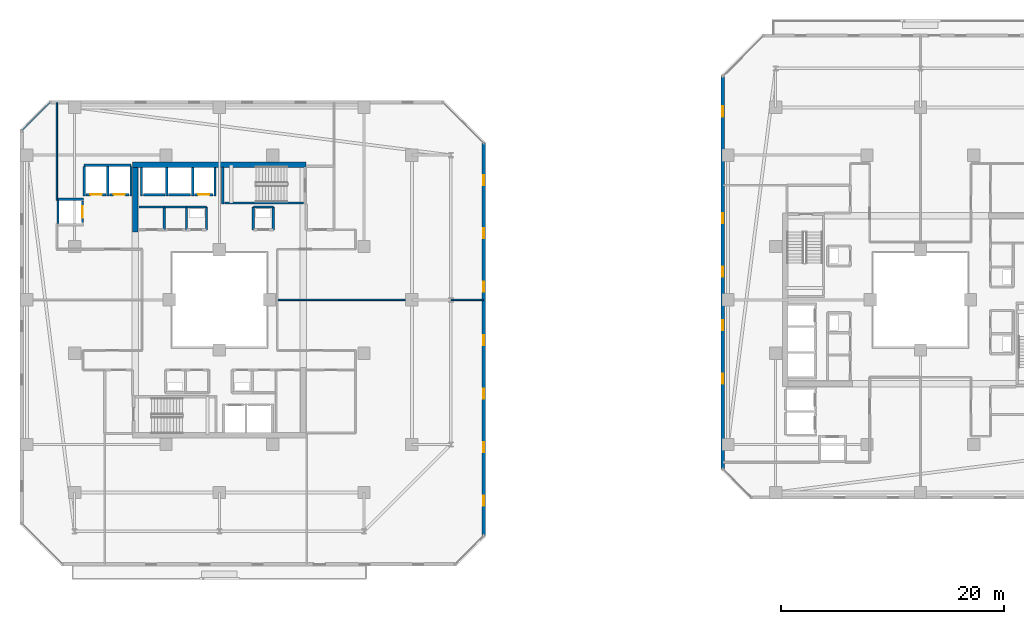
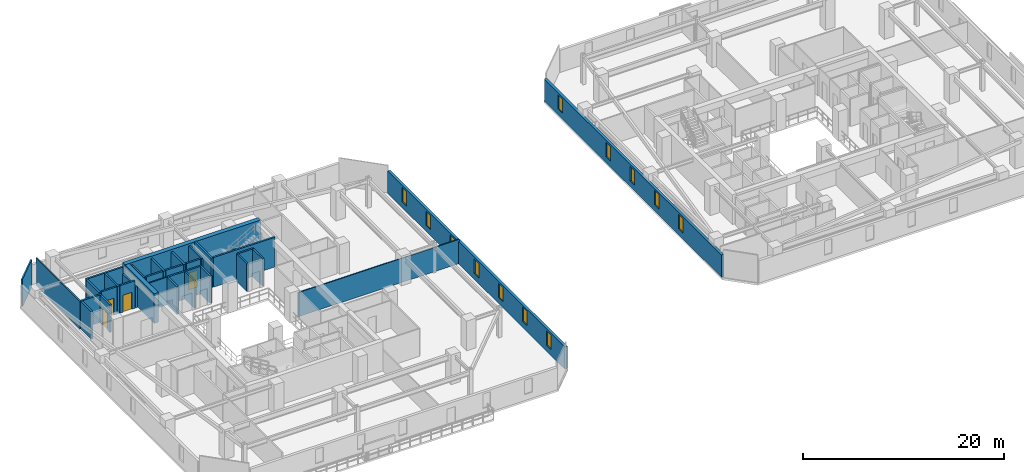
# One storey, part 21 of 32: 34 walls, 12 windows, 4 doors, 16 openings.
"""IFC4 building model written with IfcOpenShell, lengths in metres."""

import ifcopenshell
import ifcopenshell.guid

model = None  # the IFC model being written
_history = None  # IfcOwnerHistory: only IFC2X3 demands one
_inside = {}  # id of a spatial element -> (the spatial element, [elements in it])
_under = {}  # id of a project, library or spatial element -> (it, [spatial elements below it])
_declared = {}  # id of a project -> (the project, [libraries it declares])
_typed = {}  # id of a type object -> (the type object, [elements of that type])
_made_of = {}  # id of a material, layer set ... -> (it, [elements and type objects made of it])


def new_model(schema):
    """Start an empty IFC model of exactly this schema.

    Asked for "IFC4X3", IfcOpenShell would pick the latest addendum, in which some entities
    have other attributes; the version numbers below select the first issue.
    IFC2X3 requires an IfcOwnerHistory on every rooted entity: one is made here for all.
    """
    global model, _history
    if schema == "IFC4X3":
        model = ifcopenshell.file(schema_version=(4, 3, 0, 0))
    else:
        model = ifcopenshell.file(schema=schema)
    _inside.clear()
    _under.clear()
    _declared.clear()
    _typed.clear()
    _made_of.clear()
    _history = None
    if model.schema == "IFC2X3":
        org = make("IfcOrganization", Name="unknown")
        user = make(
            "IfcPersonAndOrganization",
            ThePerson=make("IfcPerson", FamilyName="unknown"),
            TheOrganization=org,
        )
        app = make(
            "IfcApplication",
            ApplicationDeveloper=org,
            Version="unknown",
            ApplicationFullName="unknown",
            ApplicationIdentifier="unknown",
        )
        _history = make(
            "IfcOwnerHistory",
            OwningUser=user,
            OwningApplication=app,
            ChangeAction="ADDED",
            CreationDate=0,
        )
    return model


def make(cls, **values):
    """One entity of the class cls with the attributes given. An attribute that is None is left unset."""
    return model.create_entity(
        cls, **{name: value for name, value in values.items() if value is not None}
    )


def rooted(cls, **values):
    """An entity with a GlobalId (a new one), such as an element, a storey or a relation."""
    return make(cls, GlobalId=ifcopenshell.guid.new(), OwnerHistory=_history, **values)


def si_unit(unit_type, name, prefix=None):
    """IfcSIUnit, for example si_unit("LENGTHUNIT", "METRE", prefix="MILLI")."""
    return make("IfcSIUnit", UnitType=unit_type, Prefix=prefix, Name=name)


def assignment(units):
    """IfcUnitAssignment: the units of a project."""
    return None if units is None else make("IfcUnitAssignment", Units=units)


def point(xyz):
    """IfcCartesianPoint."""
    return None if xyz is None else make("IfcCartesianPoint", Coordinates=xyz)


def direction(xyz):
    """IfcDirection."""
    return None if xyz is None else make("IfcDirection", DirectionRatios=xyz)


def frame(location, z_axis=None, x_axis=None):
    """IfcAxis2Placement3D, a coordinate frame: its origin and axes. An axis left out is left unset."""
    return make(
        "IfcAxis2Placement3D",
        Location=point(location),
        Axis=direction(z_axis),
        RefDirection=direction(x_axis),
    )


def frame_2d(location, x_axis=None):
    """IfcAxis2Placement2D, a coordinate frame in the plane: its origin and x axis."""
    return make(
        "IfcAxis2Placement2D", Location=point(location), RefDirection=direction(x_axis)
    )


def origin():
    """The frame at (0, 0, 0) with its axes left unset."""
    return frame((0.0, 0.0, 0.0))


def place(relative_to, where):
    """IfcLocalPlacement: puts the frame where relative to a parent placement (None: the world)."""
    return make(
        "IfcLocalPlacement", PlacementRelTo=relative_to, RelativePlacement=where
    )


def context(
    kind, dimensions, precision=None, world=None, true_north=None, identifier=None
):
    """IfcGeometricRepresentationContext, for example the 3D "Model" context."""
    return make(
        "IfcGeometricRepresentationContext",
        ContextIdentifier=identifier,
        ContextType=kind,
        CoordinateSpaceDimension=dimensions,
        Precision=precision,
        WorldCoordinateSystem=world,
        TrueNorth=true_north,
    )


def subcontext(parent, identifier, kind, view, scale=None):
    """IfcGeometricRepresentationSubContext, for example "Body" below "Model"."""
    return make(
        "IfcGeometricRepresentationSubContext",
        ContextIdentifier=identifier,
        ContextType=kind,
        ParentContext=parent,
        TargetScale=scale,
        TargetView=view,
    )


def project(units=None, contexts=None):
    """IfcProject with its units and contexts."""
    return rooted(
        "IfcProject",
        Name="project",
        RepresentationContexts=contexts,
        UnitsInContext=assignment(units),
    )


def spatial(cls, under=None, at=None, **own):
    """A site, building, storey or space (cls), placed at a placement, below another one or the project."""
    s = rooted(cls, ObjectPlacement=at, **own)
    if under is not None:
        _under.setdefault(under.id(), (under, []))[1].append(s)
    return s


def profile(cls, at=None, kind="AREA", **sizes):
    """A parametric profile (cls). Its sizes go by their IFC names, for example OverallWidth=200.0."""
    return make(cls, ProfileType=kind, Position=at, **sizes)


def rectangle(**sizes):
    """IfcRectangleProfileDef."""
    return profile("IfcRectangleProfileDef", **sizes)


def extrude(swept, where, along, depth):
    """IfcExtrudedAreaSolid: the profile swept, set in the frame where, extruded along a direction by depth."""
    return make(
        "IfcExtrudedAreaSolid",
        SweptArea=swept,
        Position=where,
        ExtrudedDirection=direction(along),
        Depth=depth,
    )


def shape(context_of_items, identifier, shape_type, items):
    """IfcShapeRepresentation: the items that make up one representation, for example the "Body"."""
    return make(
        "IfcShapeRepresentation",
        ContextOfItems=context_of_items,
        RepresentationIdentifier=identifier,
        RepresentationType=shape_type,
        Items=items,
    )


def material(Name=None, Category=None):
    """IfcMaterial."""
    return make("IfcMaterial", Name=Name, Category=Category)


def layer(
    of_material, thickness, ventilated=None, Name=None, Category=None, Priority=None
):
    """IfcMaterialLayer: one layer of a wall or slab, of a material (None: an air gap)."""
    return make(
        "IfcMaterialLayer",
        Material=of_material,
        LayerThickness=thickness,
        IsVentilated=ventilated,
        Name=Name,
        Category=Category,
        Priority=Priority,
    )


def layer_set(layers, Name=None):
    """IfcMaterialLayerSet."""
    return make("IfcMaterialLayerSet", MaterialLayers=layers, LayerSetName=Name)


def made_of(thing, what):
    """Note that an element or type object is made of a material, layer set ...; save() writes the relation."""
    if what is not None:
        _made_of.setdefault(what.id(), (what, []))[1].append(thing)
    return thing


def type_object(cls, material=None, **own):
    """A type object (cls), such as IfcWallType, which elements share."""
    return made_of(rooted(cls, **own), material)


def element(
    cls,
    number,
    at=None,
    inside=None,
    cuts=None,
    type_object=None,
    material=None,
    context=None,
    identifier="Body",
    shape_type=None,
    held_by="IfcProductDefinitionShape",
    body=None,
    shapes=None,
    **own,
):
    """One element of the class cls, such as IfcWall. Its Tag is "e" and its number.

    at: its placement. inside: the storey or other place that contains it. cuts: it is an
    opening in that element (IfcRelVoidsElement). A single representation is given by context,
    identifier, shape_type and body (its items); several are given by shapes. held_by: the class
    of the entity that holds the representations. save() writes the other relations.
    """
    e = rooted(cls, Tag="e%d" % number, ObjectPlacement=at, **own)
    if body is not None:
        shapes = [shape(context, identifier, shape_type, body)]
    if shapes is not None:
        e.Representation = make(held_by, Representations=shapes)
    if inside is not None:
        _inside.setdefault(inside.id(), (inside, []))[1].append(e)
    if cuts is not None:
        rooted(
            "IfcRelVoidsElement", RelatingBuildingElement=cuts, RelatedOpeningElement=e
        )
    if type_object is not None:
        _typed.setdefault(type_object.id(), (type_object, []))[1].append(e)
    return made_of(e, material)


def fill(opening, filler):
    """IfcRelFillsElement: the door or window that sits in an opening."""
    return rooted(
        "IfcRelFillsElement",
        RelatingOpeningElement=opening,
        RelatedBuildingElement=filler,
    )


def aggregate(whole, parts):
    """IfcRelAggregates: a whole, such as a stair, and the parts it consists of."""
    return rooted("IfcRelAggregates", RelatingObject=whole, RelatedObjects=parts)


def save(model, path):
    """Write the relations noted so far, then the file.

    IfcRelAggregates (storeys below a building ...), IfcRelContainedInSpatialStructure (elements
    in a storey), IfcRelDefinesByType, IfcRelAssociatesMaterial and IfcRelDeclares: one each for
    every whole, place, type object, material and project.
    """
    for whole, parts in _under.values():
        aggregate(whole, parts)
    for where, things in _inside.values():
        rooted(
            "IfcRelContainedInSpatialStructure",
            RelatedElements=things,
            RelatingStructure=where,
        )
    for kind, things in _typed.values():
        rooted("IfcRelDefinesByType", RelatedObjects=things, RelatingType=kind)
    for what, things in _made_of.values():
        rooted("IfcRelAssociatesMaterial", RelatedObjects=things, RelatingMaterial=what)
    for by, libraries in _declared.values():
        rooted("IfcRelDeclares", RelatingContext=by, RelatedDefinitions=libraries)
    model.write(path)


model = new_model("IFC4")

# Units and contexts
model_context = context("Model", 3, precision=1e-05, world=origin(), true_north=direction((0.0, 1.0)))
body_context = subcontext(model_context, "Body", "Model", "MODEL_VIEW")
ifc_project = project(units=[si_unit("LENGTHUNIT", "METRE"), si_unit("AREAUNIT", "SQUARE_METRE"), si_unit("VOLUMEUNIT", "CUBIC_METRE"), si_unit("PLANEANGLEUNIT", "RADIAN"), si_unit("MASSUNIT", "GRAM", prefix="KILO")], contexts=[model_context])

# Site, building, storey
site_placement = place(None, origin())
site = spatial("IfcSite", under=ifc_project, at=site_placement, CompositionType="ELEMENT")
building_placement = place(site_placement, origin())
building = spatial("IfcBuilding", under=site, at=building_placement, Name="Thornwick Lancets Civic Towers", CompositionType="ELEMENT")
storey_placement = place(building_placement, frame((0.0, 0.0, 156.300048828125)))
storey = spatial("IfcBuildingStorey", under=building, at=storey_placement, Name="L41", CompositionType="ELEMENT", Elevation=156.300048828125)

# Wall, opening, door
ifc_material_1 = material(Name="Concrete blockwork C40/50", Category="masonry")
ifc_layer_1 = layer(ifc_material_1, 0.199951171875, Name="Concrete blockwork C40/50")
ifc_layer_set_1 = layer_set([ifc_layer_1], Name="Concrete blockwork C40/50")
wall_type_1 = type_object("IfcWallType", Name="WALL_COMP_200", PredefinedType="STANDARD", material=ifc_layer_set_1)
wall_1_placement = place(storey_placement, frame((24.919921875, 36.449951171875, 0.0), z_axis=(0.0, 0.0, 1.0), x_axis=(-1.0, 0.0, 0.0)))
wall_1 = element("IfcWall", 1, at=wall_1_placement, inside=storey, type_object=wall_type_1, Name="L41 Hoistway Front Wall FL-A2", PredefinedType="STANDARD", context=body_context, shape_type="SweptSolid", body=[
    extrude(rectangle(XDim=1.639892578125, YDim=0.199951171875, at=frame_2d((0.81982421875, 0.0))), origin(), (0.0, 0.0, 1.0), 3.33984375),
])
opening_1_placement = place(wall_1_placement, frame((0.31005859375, 0.0, 0.0)))
opening_1 = element("IfcOpeningElement", 2, at=opening_1_placement, cuts=wall_1, Name="Opening LD-FL-A2", PredefinedType="OPENING", context=body_context, shape_type="SweptSolid", body=[
    extrude(rectangle(XDim=1.02001953125, YDim=2.06005859375, at=frame_2d((0.510009765625, 1.030029296875))), frame((0.0, 0.10986328125, 0.0), z_axis=(0.0, -1.0, 0.0), x_axis=(1.0, 0.0, 0.0)), (0.0, 0.0, 1.0), 0.219970703125),
])
ifc_material_2 = material(Name="Brushed bronze stainless steel", Category="steel")
door_type = type_object("IfcDoorType", Name="DOOR_LIFT_SLIDE", OperationType="SLIDING_TO_LEFT", PredefinedType="DOOR", material=ifc_material_2)
door_1_placement = place(opening_1_placement, origin())
door_1 = element("IfcDoor", 3, at=door_1_placement, inside=storey, type_object=door_type, Name="L41 Sliding Lift Landing Door LD-FL-A2", OperationType="SLIDING_TO_LEFT", OverallHeight=2.06005859375, OverallWidth=1.02001953125, PredefinedType="DOOR", context=body_context, shape_type="SweptSolid", body=[
    extrude(rectangle(XDim=1.02001953125, YDim=2.06005859375, at=frame_2d((0.510009765625, 1.030029296875))), frame((0.0, 0.02490234375, 0.0), z_axis=(0.0, -1.0, 0.0), x_axis=(1.0, 0.0, 0.0)), (0.0, 0.0, 1.0), 0.050048828125),
])
fill(opening_1, door_1)

# Walls
wall_2_placement = place(storey_placement, frame((22.919921875, 36.449951171875, 0.0), z_axis=(0.0, 0.0, 1.0), x_axis=(-1.0, 0.0, 0.0)))
element("IfcWall", 4, at=wall_2_placement, inside=storey, type_object=wall_type_1, Name="L41 Hoistway Front Wall PL-AH2", PredefinedType="STANDARD", context=body_context, shape_type="SweptSolid", body=[
    extrude(rectangle(XDim=1.989990234375, YDim=0.199951171875, at=frame_2d((0.9951171875, 0.0))), origin(), (0.0, 0.0, 1.0), 3.33984375),
])
wall_3_placement = place(storey_placement, frame((20.6201171875, 36.449951171875, 0.0), z_axis=(0.0, 0.0, 1.0), x_axis=(-1.0, 0.0, 0.0)))
element("IfcWall", 5, at=wall_3_placement, inside=storey, type_object=wall_type_1, Name="L41 Hoistway Front Wall PL-AH3", PredefinedType="STANDARD", context=body_context, shape_type="SweptSolid", body=[
    extrude(rectangle(XDim=1.940185546875, YDim=0.199951171875, at=frame_2d((0.97021484375, 0.0))), origin(), (0.0, 0.0, 1.0), 3.33984375),
])

# Wall, opening, door
wall_4_placement = place(storey_placement, frame((17.3701171875, 36.449951171875, 0.0), z_axis=(0.0, 0.0, 1.0), x_axis=(-1.0, 0.0, 0.0)))
wall_4 = element("IfcWall", 6, at=wall_4_placement, inside=storey, type_object=wall_type_1, Name="L41 Hoistway Front Wall PL-AM1", PredefinedType="STANDARD", context=body_context, shape_type="SweptSolid", body=[
    extrude(rectangle(XDim=1.740234375, YDim=0.199951171875, at=frame_2d((0.8701171875, 0.0))), origin(), (0.0, 0.0, 1.0), 3.33984375),
])
opening_2_placement = place(wall_4_placement, frame((0.360107421875, 0.0, 0.0)))
opening_2 = element("IfcOpeningElement", 7, at=opening_2_placement, cuts=wall_4, Name="Opening LD-PL-AM1", PredefinedType="OPENING", context=body_context, shape_type="SweptSolid", body=[
    extrude(rectangle(XDim=1.02001953125, YDim=2.06005859375, at=frame_2d((0.510009765625, 1.030029296875))), frame((0.0, 0.10986328125, 0.0), z_axis=(0.0, -1.0, 0.0), x_axis=(1.0, 0.0, 0.0)), (0.0, 0.0, 1.0), 0.219970703125),
])
door_2_placement = place(opening_2_placement, origin())
door_2 = element("IfcDoor", 8, at=door_2_placement, inside=storey, type_object=door_type, Name="L41 Sliding Lift Landing Door LD-PL-AM1", OperationType="SLIDING_TO_LEFT", OverallHeight=2.06005859375, OverallWidth=1.02001953125, PredefinedType="DOOR", context=body_context, shape_type="SweptSolid", body=[
    extrude(rectangle(XDim=1.02001953125, YDim=2.06005859375, at=frame_2d((0.510009765625, 1.030029296875))), frame((0.0, 0.02490234375, 0.0), z_axis=(0.0, -1.0, 0.0), x_axis=(1.0, 0.0, 0.0)), (0.0, 0.0, 1.0), 0.050048828125),
])
fill(opening_2, door_2)

wall_5_placement = place(storey_placement, frame((15.320068359375, 36.449951171875, 0.0), z_axis=(0.0, 0.0, 1.0), x_axis=(-1.0, 0.0, 0.0)))
wall_5 = element("IfcWall", 9, at=wall_5_placement, inside=storey, type_object=wall_type_1, Name="L41 Hoistway Front Wall PL-AM2", PredefinedType="STANDARD", context=body_context, shape_type="SweptSolid", body=[
    extrude(rectangle(XDim=1.7900390625, YDim=0.199951171875, at=frame_2d((0.89501953125, 0.0))), origin(), (0.0, 0.0, 1.0), 3.33984375),
])
opening_3_placement = place(wall_5_placement, frame((0.385009765625, 0.0, 0.0)))
opening_3 = element("IfcOpeningElement", 10, at=opening_3_placement, cuts=wall_5, Name="Opening LD-PL-AM2", PredefinedType="OPENING", context=body_context, shape_type="SweptSolid", body=[
    extrude(rectangle(XDim=1.02001953125, YDim=2.06005859375, at=frame_2d((0.510009765625, 1.030029296875))), frame((0.0, 0.10986328125, 0.0), z_axis=(0.0, -1.0, 0.0), x_axis=(1.0, 0.0, 0.0)), (0.0, 0.0, 1.0), 0.219970703125),
])
door_3_placement = place(opening_3_placement, origin())
door_3 = element("IfcDoor", 11, at=door_3_placement, inside=storey, type_object=door_type, Name="L41 Sliding Lift Landing Door LD-PL-AM2", OperationType="SLIDING_TO_LEFT", OverallHeight=2.06005859375, OverallWidth=1.02001953125, PredefinedType="DOOR", context=body_context, shape_type="SweptSolid", body=[
    extrude(rectangle(XDim=1.02001953125, YDim=2.06005859375, at=frame_2d((0.510009765625, 1.030029296875))), frame((0.0, 0.02490234375, 0.0), z_axis=(0.0, -1.0, 0.0), x_axis=(1.0, 0.0, 0.0)), (0.0, 0.0, 1.0), 0.050048828125),
])
fill(opening_3, door_3)

wall_6_placement = place(storey_placement, frame((13.199951171875, 33.929931640625, 0.0), z_axis=(0.0, 0.0, 1.0), x_axis=(0.0, 1.0, 0.0)))
wall_6 = element("IfcWall", 12, at=wall_6_placement, inside=storey, type_object=wall_type_1, Name="L41 Hoistway Front Wall PL-AM3", PredefinedType="STANDARD", context=body_context, shape_type="SweptSolid", body=[
    extrude(rectangle(XDim=1.940185546875, YDim=0.199951171875, at=frame_2d((0.97021484375, 0.0))), origin(), (0.0, 0.0, 1.0), 3.33984375),
])
opening_4_placement = place(wall_6_placement, frame((0.4599609375, 0.0, 0.0)))
opening_4 = element("IfcOpeningElement", 13, at=opening_4_placement, cuts=wall_6, Name="Opening LD-PL-AM3", PredefinedType="OPENING", context=body_context, shape_type="SweptSolid", body=[
    extrude(rectangle(XDim=1.02001953125, YDim=2.06005859375, at=frame_2d((0.510009765625, 1.030029296875))), frame((0.0, 0.10986328125, 0.0), z_axis=(0.0, -1.0, 0.0), x_axis=(1.0, 0.0, 0.0)), (0.0, 0.0, 1.0), 0.219970703125),
])
door_4_placement = place(opening_4_placement, origin())
door_4 = element("IfcDoor", 14, at=door_4_placement, inside=storey, type_object=door_type, Name="L41 Sliding Lift Landing Door LD-PL-AM3", OperationType="SLIDING_TO_LEFT", OverallHeight=2.06005859375, OverallWidth=1.02001953125, PredefinedType="DOOR", context=body_context, shape_type="SweptSolid", body=[
    extrude(rectangle(XDim=1.02001953125, YDim=2.06005859375, at=frame_2d((0.510009765625, 1.030029296875))), frame((0.0, 0.02490234375, 0.0), z_axis=(0.0, -1.0, 0.0), x_axis=(1.0, 0.0, 0.0)), (0.0, 0.0, 1.0), 0.050048828125),
])
fill(opening_4, door_4)

# Walls
for number, where, z_axis, x_axis, name in (
    (15, (25.10009765625, 36.35205078125, 0.0), (0.0, 0.0, 1.0), (0.0, 1.0, 0.0), "L41 Hoistway Shaft Wall FL-A2 E"),
    (16, (23.10009765625, 36.35205078125, 0.0), (0.0, 0.0, 1.0), (0.0, 1.0, 0.0), "L41 Hoistway Shaft Wall FL-A2 W"),
    (17, (20.77490234375, 36.35205078125, 0.0), (0.0, 0.0, 1.0), (0.0, 1.0, 0.0), "L41 Hoistway Shaft Wall PL-AH2 W"),
    (18, (18.5, 36.35205078125, 0.0), (0.0, 0.0, 1.0), (0.0, 1.0, 0.0), "L41 Hoistway Shaft Wall PL-AH3 W"),
):
    element("IfcWall", number, at=place(storey_placement, frame(where, z_axis=z_axis, x_axis=x_axis)), inside=storey, type_object=wall_type_1, Name=name, PredefinedType="STANDARD", context=body_context, shape_type="SweptSolid", body=[
        extrude(rectangle(XDim=2.535888671875, YDim=0.199951171875, at=frame_2d((1.26806640625, 0.0))), origin(), (0.0, 0.0, 1.0), 3.33984375),
    ])
wall_7_placement = place(storey_placement, frame((13.35205078125, 39.10009765625, 0.0), z_axis=(0.0, 0.0, 1.0), x_axis=(1.0, 0.0, 0.0)))
element("IfcWall", 19, at=wall_7_placement, inside=storey, type_object=wall_type_1, Name="L41 Hoistway Shaft Wall PL-AM1 N", PredefinedType="STANDARD", context=body_context, shape_type="SweptSolid", body=[
    extrude(rectangle(XDim=4.196044921875, YDim=0.199951171875, at=frame_2d((2.09814453125, 0.0))), origin(), (0.0, 0.0, 1.0), 3.33984375),
])
wall_8_placement = place(storey_placement, frame((17.550048828125, 36.35205078125, 0.0), z_axis=(0.0, 0.0, 1.0), x_axis=(0.0, 1.0, 0.0)))
element("IfcWall", 20, at=wall_8_placement, inside=storey, type_object=wall_type_1, Name="L41 Hoistway Shaft Wall PL-AM1 E", PredefinedType="STANDARD", context=body_context, shape_type="SweptSolid", body=[
    extrude(rectangle(XDim=2.635986328125, YDim=0.199951171875, at=frame_2d((1.31787109375, 0.0))), origin(), (0.0, 0.0, 1.0), 2.544921875),
])
for number, where, z_axis, x_axis, name in (
    (21, (15.47509765625, 36.35205078125, 0.0), (0.0, 0.0, 1.0), (0.0, 1.0, 0.0), "L41 Hoistway Shaft Wall PL-AM1 W"),
    (22, (13.35009765625, 36.35205078125, 0.0), (0.0, 0.0, 1.0), (0.0, 1.0, 0.0), "L41 Hoistway Shaft Wall PL-AM2 W"),
):
    element("IfcWall", number, at=place(storey_placement, frame(where, z_axis=z_axis, x_axis=x_axis)), inside=storey, type_object=wall_type_1, Name=name, PredefinedType="STANDARD", context=body_context, shape_type="SweptSolid", body=[
        extrude(rectangle(XDim=2.635986328125, YDim=0.199951171875, at=frame_2d((1.31787109375, 0.0))), origin(), (0.0, 0.0, 1.0), 3.33984375),
    ])
wall_9_placement = place(storey_placement, frame((11.001953125, 36.050048828125, 0.0), z_axis=(0.0, 0.0, 1.0), x_axis=(1.0, 0.0, 0.0)))
element("IfcWall", 23, at=wall_9_placement, inside=storey, type_object=wall_type_1, Name="L41 Hoistway Shaft Wall PL-AM3 N", PredefinedType="STANDARD", context=body_context, shape_type="SweptSolid", body=[
    extrude(rectangle(XDim=2.296142578125, YDim=0.199951171875, at=frame_2d((1.14794921875, 0.0))), origin(), (0.0, 0.0, 1.0), 3.33984375),
])
wall_10_placement = place(storey_placement, frame((11.0, 33.862060546875, 0.0), z_axis=(0.0, 0.0, 1.0), x_axis=(0.0, 1.0, 0.0)))
element("IfcWall", 24, at=wall_10_placement, inside=storey, type_object=wall_type_1, Name="L41 Hoistway Shaft Wall PL-AM3 W", PredefinedType="STANDARD", context=body_context, shape_type="SweptSolid", body=[
    extrude(rectangle(XDim=2.075927734375, YDim=0.199951171875, at=frame_2d((1.0380859375, 0.0))), origin(), (0.0, 0.0, 1.0), 3.33984375),
])
wall_11_placement = place(storey_placement, frame((24.35009765625, 33.300048828125, 0.0), z_axis=(0.0, 0.0, 1.0), x_axis=(0.0, 1.0, 0.0)))
element("IfcWall", 25, at=wall_11_placement, inside=storey, type_object=wall_type_1, Name="L41 Partition L41-A-DUCT2 E2", PredefinedType="STANDARD", context=body_context, shape_type="SweptSolid", body=[
    extrude(rectangle(XDim=2.050048828125, YDim=0.199951171875, at=frame_2d((1.02490234375, 0.0))), origin(), (0.0, 0.0, 1.0), 3.33984375),
])
wall_12_placement = place(storey_placement, frame((24.35009765625, 35.35009765625, 0.0), z_axis=(0.0, 0.0, 1.0), x_axis=(-1.0, 0.0, 0.0)))
element("IfcWall", 26, at=wall_12_placement, inside=storey, type_object=wall_type_1, Name="L41 Partition L41-A-DUCT2 E3", PredefinedType="STANDARD", context=body_context, shape_type="SweptSolid", body=[
    extrude(rectangle(XDim=1.800048828125, YDim=0.199951171875, at=frame_2d((0.89990234375, 0.0))), origin(), (0.0, 0.0, 1.0), 3.33984375),
])
for number, where, z_axis, x_axis, name in (
    (27, (22.550048828125, 35.35009765625, 0.0), (0.0, 0.0, 1.0), (0.0, -1.0, 0.0), "L41 Partition L41-A-DUCT2 E4"),
    (28, (30.35009765625, 33.300048828125, 0.0), (0.0, 0.0, 1.0), (0.0, 1.0, 0.0), "L41 Partition L41-A-RISER2 E2"),
):
    element("IfcWall", number, at=place(storey_placement, frame(where, z_axis=z_axis, x_axis=x_axis)), inside=storey, type_object=wall_type_1, Name=name, PredefinedType="STANDARD", context=body_context, shape_type="SweptSolid", body=[
        extrude(rectangle(XDim=2.050048828125, YDim=0.199951171875, at=frame_2d((1.02490234375, 0.0))), origin(), (0.0, 0.0, 1.0), 3.33984375),
    ])
wall_13_placement = place(storey_placement, frame((30.35009765625, 35.35009765625, 0.0), z_axis=(0.0, 0.0, 1.0), x_axis=(-1.0, 0.0, 0.0)))
element("IfcWall", 29, at=wall_13_placement, inside=storey, type_object=wall_type_1, Name="L41 Partition L41-A-RISER2 E3", PredefinedType="STANDARD", context=body_context, shape_type="SweptSolid", body=[
    extrude(rectangle(XDim=1.800048828125, YDim=0.199951171875, at=frame_2d((0.89990234375, 0.0))), origin(), (0.0, 0.0, 1.0), 3.33984375),
])
for number, where, z_axis, x_axis, name in (
    (30, (28.550048828125, 35.35009765625, 0.0), (0.0, 0.0, 1.0), (0.0, -1.0, 0.0), "L41 Partition L41-A-RISER2 E4"),
    (31, (20.550048828125, 33.300048828125, 0.0), (0.0, 0.0, 1.0), (0.0, 1.0, 0.0), "L41 Partition L41-A-STR E1"),
):
    element("IfcWall", number, at=place(storey_placement, frame(where, z_axis=z_axis, x_axis=x_axis)), inside=storey, type_object=wall_type_1, Name=name, PredefinedType="STANDARD", context=body_context, shape_type="SweptSolid", body=[
        extrude(rectangle(XDim=2.050048828125, YDim=0.199951171875, at=frame_2d((1.02490234375, 0.0))), origin(), (0.0, 0.0, 1.0), 3.33984375),
    ])
wall_14_placement = place(storey_placement, frame((20.550048828125, 35.35009765625, 0.0), z_axis=(0.0, 0.0, 1.0), x_axis=(1.0, 0.0, 0.0)))
element("IfcWall", 32, at=wall_14_placement, inside=storey, type_object=wall_type_1, Name="L41 Partition L41-A-STR E2", PredefinedType="STANDARD", context=body_context, shape_type="SweptSolid", body=[
    extrude(rectangle(XDim=2.0, YDim=0.199951171875, at=frame_2d((1.0, 0.0))), origin(), (0.0, 0.0, 1.0), 3.33984375),
])
ifc_material_3 = material(Name="Concrete C50/60", Category="concrete")
ifc_layer_2 = layer(ifc_material_3, 0.5, Name="Concrete C50/60")
ifc_layer_set_2 = layer_set([ifc_layer_2], Name="Concrete C50/60")
wall_type_2 = type_object("IfcWallType", Name="WALL_CORE_500", PredefinedType="SHEAR", material=ifc_layer_set_2)
wall_15_placement = place(storey_placement, frame((17.699951171875, 39.14990234375, 0.0), z_axis=(0.0, 0.0, 1.0), x_axis=(1.0, 0.0, 0.0)))
element("IfcWall", 33, at=wall_15_placement, inside=storey, type_object=wall_type_2, Name="L41 Split Core A2 Shear Wall N", PredefinedType="SHEAR", context=body_context, shape_type="SweptSolid", body=[
    extrude(rectangle(XDim=15.60009765625, YDim=0.5, at=frame_2d((7.800048828125, 0.0))), origin(), (0.0, 0.0, 1.0), 3.599853515625),
])
wall_16_placement = place(storey_placement, frame((17.949951171875, 33.10009765625, 0.0), z_axis=(0.0, 0.0, 1.0), x_axis=(0.0, 1.0, 0.0)))
element("IfcWall", 34, at=wall_16_placement, inside=storey, type_object=wall_type_2, Name="L41 Split Core A2 Shear Wall W", PredefinedType="SHEAR", context=body_context, shape_type="SweptSolid", body=[
    extrude(rectangle(XDim=5.7998046875, YDim=0.5, at=frame_2d((2.89990234375, 0.0))), origin(), (0.0, 0.0, 1.0), 3.599853515625),
])

# Wall, openings, windows
ifc_material_4 = material(Name="Insulated russet terracotta rainscreen on concrete C40/50", Category="masonry")
ifc_layer_3 = layer(ifc_material_4, 0.300048828125, Name="Insulated russet terracotta rainscreen on concrete C40/50")
ifc_layer_set_3 = layer_set([ifc_layer_3], Name="Insulated russet terracotta rainscreen on concrete C40/50")
wall_type_3 = type_object("IfcWallType", Name="WALL_EXT_RUSSET_300", PredefinedType="STANDARD", material=ifc_layer_set_3)
wall_17_placement = place(storey_placement, frame((49.2646484375, 5.818603515625, 0.0), z_axis=(0.0, 0.0, 1.0), x_axis=(-0.000103863011, 0.999999994606, 0.0)))
wall_17 = element("IfcWall", 35, at=wall_17_placement, inside=storey, type_object=wall_type_3, Name="L41 Tower A Terracotta Facade Wall E2", PredefinedType="STANDARD", context=body_context, shape_type="SweptSolid", body=[
    extrude(rectangle(XDim=35.259033203125, YDim=0.300048828125, at=frame_2d((17.62939453125, 0.0))), origin(), (0.0, 0.0, 1.0), 2.699951171875),
])
opening_5_placement = place(wall_17_placement, frame((2.699951171875, 0.0, 0.719970703125)))
opening_5 = element("IfcOpeningElement", 36, at=opening_5_placement, cuts=wall_17, Name="Opening WL-01", PredefinedType="OPENING", context=body_context, shape_type="SweptSolid", body=[
    extrude(rectangle(XDim=0.89990234375, YDim=1.75, at=frame_2d((0.449951171875, 0.875))), frame((0.0, 0.16015625, 0.0), z_axis=(0.0, -1.0, 0.0), x_axis=(1.0, 0.0, 0.0)), (0.0, 0.0, 1.0), 0.320068359375),
])
opening_6_placement = place(wall_17_placement, frame((7.5, 0.0, 0.719970703125)))
opening_6 = element("IfcOpeningElement", 37, at=opening_6_placement, cuts=wall_17, Name="Opening WL-01", PredefinedType="OPENING", context=body_context, shape_type="SweptSolid", body=[
    extrude(rectangle(XDim=0.89990234375, YDim=1.75, at=frame_2d((0.449951171875, 0.875))), frame((0.0, 0.16015625, 0.0), z_axis=(0.0, -1.0, 0.0), x_axis=(1.0, 0.0, 0.0)), (0.0, 0.0, 1.0), 0.320068359375),
])
opening_7_placement = place(wall_17_placement, frame((12.300048828125, 0.0, 0.719970703125)))
opening_7 = element("IfcOpeningElement", 38, at=opening_7_placement, cuts=wall_17, Name="Opening WL-01", PredefinedType="OPENING", context=body_context, shape_type="SweptSolid", body=[
    extrude(rectangle(XDim=0.89990234375, YDim=1.75, at=frame_2d((0.449951171875, 0.875))), frame((0.0, 0.16015625, 0.0), z_axis=(0.0, -1.0, 0.0), x_axis=(1.0, 0.0, 0.0)), (0.0, 0.0, 1.0), 0.320068359375),
])
opening_8_placement = place(wall_17_placement, frame((17.10009765625, 0.0, 0.719970703125)))
opening_8 = element("IfcOpeningElement", 39, at=opening_8_placement, cuts=wall_17, Name="Opening WL-01", PredefinedType="OPENING", context=body_context, shape_type="SweptSolid", body=[
    extrude(rectangle(XDim=0.89990234375, YDim=1.75, at=frame_2d((0.449951171875, 0.875))), frame((0.0, 0.16015625, 0.0), z_axis=(0.0, -1.0, 0.0), x_axis=(1.0, 0.0, 0.0)), (0.0, 0.0, 1.0), 0.320068359375),
])
opening_9_placement = place(wall_17_placement, frame((21.89990234375, 0.0, 0.719970703125)))
opening_9 = element("IfcOpeningElement", 40, at=opening_9_placement, cuts=wall_17, Name="Opening WL-01", PredefinedType="OPENING", context=body_context, shape_type="SweptSolid", body=[
    extrude(rectangle(XDim=0.89990234375, YDim=1.75, at=frame_2d((0.449951171875, 0.875))), frame((0.0, 0.16015625, 0.0), z_axis=(0.0, -1.0, 0.0), x_axis=(1.0, 0.0, 0.0)), (0.0, 0.0, 1.0), 0.320068359375),
])
opening_10_placement = place(wall_17_placement, frame((26.699951171875, 0.0, 0.719970703125)))
opening_10 = element("IfcOpeningElement", 41, at=opening_10_placement, cuts=wall_17, Name="Opening WL-01", PredefinedType="OPENING", context=body_context, shape_type="SweptSolid", body=[
    extrude(rectangle(XDim=0.89990234375, YDim=1.75, at=frame_2d((0.449951171875, 0.875))), frame((0.0, 0.16015625, 0.0), z_axis=(0.0, -1.0, 0.0), x_axis=(1.0, 0.0, 0.0)), (0.0, 0.0, 1.0), 0.320068359375),
])
opening_11_placement = place(wall_17_placement, frame((31.5, 0.0, 0.719970703125)))
opening_11 = element("IfcOpeningElement", 42, at=opening_11_placement, cuts=wall_17, Name="Opening WL-01", PredefinedType="OPENING", context=body_context, shape_type="SweptSolid", body=[
    extrude(rectangle(XDim=0.89990234375, YDim=1.75, at=frame_2d((0.449951171875, 0.875))), frame((0.0, 0.16015625, 0.0), z_axis=(0.0, -1.0, 0.0), x_axis=(1.0, 0.0, 0.0)), (0.0, 0.0, 1.0), 0.320068359375),
])
ifc_material_5 = material(Name="Clear low-e double glazing in bronze frame", Category="glass")
window_type = type_object("IfcWindowType", Name="WIN_LANCET_900", PartitioningType="SINGLE_PANEL", PredefinedType="WINDOW", material=ifc_material_5)
window_1_placement = place(opening_5_placement, origin())
window_1 = element("IfcWindow", 43, at=window_1_placement, inside=storey, type_object=window_type, Name="L41 Tower A Staggered Lancet Window E2-1", OverallHeight=1.75, OverallWidth=0.89990234375, PartitioningType="SINGLE_PANEL", PredefinedType="WINDOW", context=body_context, shape_type="SweptSolid", body=[
    extrude(rectangle(XDim=0.89990234375, YDim=1.75, at=frame_2d((0.449951171875, 0.875))), frame((0.0, 0.030029296875, 0.0), z_axis=(0.0, -1.0, 0.0), x_axis=(1.0, 0.0, 0.0)), (0.0, 0.0, 1.0), 0.06005859375),
])
fill(opening_5, window_1)
window_2_placement = place(opening_6_placement, origin())
window_2 = element("IfcWindow", 44, at=window_2_placement, inside=storey, type_object=window_type, Name="L41 Tower A Staggered Lancet Window E2-2", OverallHeight=1.75, OverallWidth=0.89990234375, PartitioningType="SINGLE_PANEL", PredefinedType="WINDOW", context=body_context, shape_type="SweptSolid", body=[
    extrude(rectangle(XDim=0.89990234375, YDim=1.75, at=frame_2d((0.449951171875, 0.875))), frame((0.0, 0.030029296875, 0.0), z_axis=(0.0, -1.0, 0.0), x_axis=(1.0, 0.0, 0.0)), (0.0, 0.0, 1.0), 0.06005859375),
])
fill(opening_6, window_2)
window_3_placement = place(opening_7_placement, origin())
window_3 = element("IfcWindow", 45, at=window_3_placement, inside=storey, type_object=window_type, Name="L41 Tower A Staggered Lancet Window E2-3", OverallHeight=1.75, OverallWidth=0.89990234375, PartitioningType="SINGLE_PANEL", PredefinedType="WINDOW", context=body_context, shape_type="SweptSolid", body=[
    extrude(rectangle(XDim=0.89990234375, YDim=1.75, at=frame_2d((0.449951171875, 0.875))), frame((0.0, 0.030029296875, 0.0), z_axis=(0.0, -1.0, 0.0), x_axis=(1.0, 0.0, 0.0)), (0.0, 0.0, 1.0), 0.06005859375),
])
fill(opening_7, window_3)
window_4_placement = place(opening_8_placement, origin())
window_4 = element("IfcWindow", 46, at=window_4_placement, inside=storey, type_object=window_type, Name="L41 Tower A Staggered Lancet Window E2-4", OverallHeight=1.75, OverallWidth=0.89990234375, PartitioningType="SINGLE_PANEL", PredefinedType="WINDOW", context=body_context, shape_type="SweptSolid", body=[
    extrude(rectangle(XDim=0.89990234375, YDim=1.75, at=frame_2d((0.449951171875, 0.875))), frame((0.0, 0.030029296875, 0.0), z_axis=(0.0, -1.0, 0.0), x_axis=(1.0, 0.0, 0.0)), (0.0, 0.0, 1.0), 0.06005859375),
])
fill(opening_8, window_4)
window_5_placement = place(opening_9_placement, origin())
window_5 = element("IfcWindow", 47, at=window_5_placement, inside=storey, type_object=window_type, Name="L41 Tower A Staggered Lancet Window E2-5", OverallHeight=1.75, OverallWidth=0.89990234375, PartitioningType="SINGLE_PANEL", PredefinedType="WINDOW", context=body_context, shape_type="SweptSolid", body=[
    extrude(rectangle(XDim=0.89990234375, YDim=1.75, at=frame_2d((0.449951171875, 0.875))), frame((0.0, 0.030029296875, 0.0), z_axis=(0.0, -1.0, 0.0), x_axis=(1.0, 0.0, 0.0)), (0.0, 0.0, 1.0), 0.06005859375),
])
fill(opening_9, window_5)
window_6_placement = place(opening_10_placement, origin())
window_6 = element("IfcWindow", 48, at=window_6_placement, inside=storey, type_object=window_type, Name="L41 Tower A Staggered Lancet Window E2-6", OverallHeight=1.75, OverallWidth=0.89990234375, PartitioningType="SINGLE_PANEL", PredefinedType="WINDOW", context=body_context, shape_type="SweptSolid", body=[
    extrude(rectangle(XDim=0.89990234375, YDim=1.75, at=frame_2d((0.449951171875, 0.875))), frame((0.0, 0.030029296875, 0.0), z_axis=(0.0, -1.0, 0.0), x_axis=(1.0, 0.0, 0.0)), (0.0, 0.0, 1.0), 0.06005859375),
])
fill(opening_10, window_6)
window_7_placement = place(opening_11_placement, origin())
window_7 = element("IfcWindow", 49, at=window_7_placement, inside=storey, type_object=window_type, Name="L41 Tower A Staggered Lancet Window E2-7", OverallHeight=1.75, OverallWidth=0.89990234375, PartitioningType="SINGLE_PANEL", PredefinedType="WINDOW", context=body_context, shape_type="SweptSolid", body=[
    extrude(rectangle(XDim=0.89990234375, YDim=1.75, at=frame_2d((0.449951171875, 0.875))), frame((0.0, 0.030029296875, 0.0), z_axis=(0.0, -1.0, 0.0), x_axis=(1.0, 0.0, 0.0)), (0.0, 0.0, 1.0), 0.06005859375),
])
fill(opening_11, window_7)

wall_18_placement = place(storey_placement, frame((70.739013671875, 47.07763671875, 0.0), z_axis=(0.0, 0.0, 1.0), x_axis=(-0.000103863011, -0.999999994606, 0.0)))
wall_18 = element("IfcWall", 50, at=wall_18_placement, inside=storey, type_object=wall_type_3, Name="L41 Tower B Terracotta Facade Wall E6", PredefinedType="STANDARD", context=body_context, shape_type="SweptSolid", body=[
    extrude(rectangle(XDim=35.259033203125, YDim=0.300048828125, at=frame_2d((17.62939453125, 0.0))), origin(), (0.0, 0.0, 1.0), 2.699951171875),
])
opening_12_placement = place(wall_18_placement, frame((2.699951171875, 0.0, 0.719970703125)))
opening_12 = element("IfcOpeningElement", 51, at=opening_12_placement, cuts=wall_18, Name="Opening WL-01", PredefinedType="OPENING", context=body_context, shape_type="SweptSolid", body=[
    extrude(rectangle(XDim=0.89990234375, YDim=1.75, at=frame_2d((0.449951171875, 0.875))), frame((0.0, 0.16015625, 0.0), z_axis=(0.0, -1.0, 0.0), x_axis=(1.0, 0.0, 0.0)), (0.0, 0.0, 1.0), 0.320068359375),
])
opening_13_placement = place(wall_18_placement, frame((12.300048828125, 0.0, 0.719970703125)))
opening_13 = element("IfcOpeningElement", 52, at=opening_13_placement, cuts=wall_18, Name="Opening WL-01", PredefinedType="OPENING", context=body_context, shape_type="SweptSolid", body=[
    extrude(rectangle(XDim=0.89990234375, YDim=1.75, at=frame_2d((0.449951171875, 0.875))), frame((0.0, 0.16015625, 0.0), z_axis=(0.0, -1.0, 0.0), x_axis=(1.0, 0.0, 0.0)), (0.0, 0.0, 1.0), 0.320068359375),
])
opening_14_placement = place(wall_18_placement, frame((17.10009765625, 0.0, 0.719970703125)))
opening_14 = element("IfcOpeningElement", 53, at=opening_14_placement, cuts=wall_18, Name="Opening WL-01", PredefinedType="OPENING", context=body_context, shape_type="SweptSolid", body=[
    extrude(rectangle(XDim=0.89990234375, YDim=1.75, at=frame_2d((0.449951171875, 0.875))), frame((0.0, 0.16015625, 0.0), z_axis=(0.0, -1.0, 0.0), x_axis=(1.0, 0.0, 0.0)), (0.0, 0.0, 1.0), 0.320068359375),
])
opening_15_placement = place(wall_18_placement, frame((21.89990234375, 0.0, 0.719970703125)))
opening_15 = element("IfcOpeningElement", 54, at=opening_15_placement, cuts=wall_18, Name="Opening WL-01", PredefinedType="OPENING", context=body_context, shape_type="SweptSolid", body=[
    extrude(rectangle(XDim=0.89990234375, YDim=1.75, at=frame_2d((0.449951171875, 0.875))), frame((0.0, 0.16015625, 0.0), z_axis=(0.0, -1.0, 0.0), x_axis=(1.0, 0.0, 0.0)), (0.0, 0.0, 1.0), 0.320068359375),
])
opening_16_placement = place(wall_18_placement, frame((26.699951171875, 0.0, 0.719970703125)))
opening_16 = element("IfcOpeningElement", 55, at=opening_16_placement, cuts=wall_18, Name="Opening WL-01", PredefinedType="OPENING", context=body_context, shape_type="SweptSolid", body=[
    extrude(rectangle(XDim=0.89990234375, YDim=1.75, at=frame_2d((0.449951171875, 0.875))), frame((0.0, 0.16015625, 0.0), z_axis=(0.0, -1.0, 0.0), x_axis=(1.0, 0.0, 0.0)), (0.0, 0.0, 1.0), 0.320068359375),
])
window_8_placement = place(opening_12_placement, origin())
window_8 = element("IfcWindow", 56, at=window_8_placement, inside=storey, type_object=window_type, Name="L41 Tower B Staggered Lancet Window E6-1", OverallHeight=1.75, OverallWidth=0.89990234375, PartitioningType="SINGLE_PANEL", PredefinedType="WINDOW", context=body_context, shape_type="SweptSolid", body=[
    extrude(rectangle(XDim=0.89990234375, YDim=1.75, at=frame_2d((0.449951171875, 0.875))), frame((0.0, 0.030029296875, 0.0), z_axis=(0.0, -1.0, 0.0), x_axis=(1.0, 0.0, 0.0)), (0.0, 0.0, 1.0), 0.06005859375),
])
fill(opening_12, window_8)
window_9_placement = place(opening_13_placement, origin())
window_9 = element("IfcWindow", 57, at=window_9_placement, inside=storey, type_object=window_type, Name="L41 Tower B Staggered Lancet Window E6-2", OverallHeight=1.75, OverallWidth=0.89990234375, PartitioningType="SINGLE_PANEL", PredefinedType="WINDOW", context=body_context, shape_type="SweptSolid", body=[
    extrude(rectangle(XDim=0.89990234375, YDim=1.75, at=frame_2d((0.449951171875, 0.875))), frame((0.0, 0.030029296875, 0.0), z_axis=(0.0, -1.0, 0.0), x_axis=(1.0, 0.0, 0.0)), (0.0, 0.0, 1.0), 0.06005859375),
])
fill(opening_13, window_9)
window_10_placement = place(opening_14_placement, origin())
window_10 = element("IfcWindow", 58, at=window_10_placement, inside=storey, type_object=window_type, Name="L41 Tower B Staggered Lancet Window E6-3", OverallHeight=1.75, OverallWidth=0.89990234375, PartitioningType="SINGLE_PANEL", PredefinedType="WINDOW", context=body_context, shape_type="SweptSolid", body=[
    extrude(rectangle(XDim=0.89990234375, YDim=1.75, at=frame_2d((0.449951171875, 0.875))), frame((0.0, 0.030029296875, 0.0), z_axis=(0.0, -1.0, 0.0), x_axis=(1.0, 0.0, 0.0)), (0.0, 0.0, 1.0), 0.06005859375),
])
fill(opening_14, window_10)
window_11_placement = place(opening_15_placement, origin())
window_11 = element("IfcWindow", 59, at=window_11_placement, inside=storey, type_object=window_type, Name="L41 Tower B Staggered Lancet Window E6-4", OverallHeight=1.75, OverallWidth=0.89990234375, PartitioningType="SINGLE_PANEL", PredefinedType="WINDOW", context=body_context, shape_type="SweptSolid", body=[
    extrude(rectangle(XDim=0.89990234375, YDim=1.75, at=frame_2d((0.449951171875, 0.875))), frame((0.0, 0.030029296875, 0.0), z_axis=(0.0, -1.0, 0.0), x_axis=(1.0, 0.0, 0.0)), (0.0, 0.0, 1.0), 0.06005859375),
])
fill(opening_15, window_11)
window_12_placement = place(opening_16_placement, origin())
window_12 = element("IfcWindow", 60, at=window_12_placement, inside=storey, type_object=window_type, Name="L41 Tower B Staggered Lancet Window E6-5", OverallHeight=1.75, OverallWidth=0.89990234375, PartitioningType="SINGLE_PANEL", PredefinedType="WINDOW", context=body_context, shape_type="SweptSolid", body=[
    extrude(rectangle(XDim=0.89990234375, YDim=1.75, at=frame_2d((0.449951171875, 0.875))), frame((0.0, 0.030029296875, 0.0), z_axis=(0.0, -1.0, 0.0), x_axis=(1.0, 0.0, 0.0)), (0.0, 0.0, 1.0), 0.06005859375),
])
fill(opening_16, window_12)

# Walls
ifc_material_6 = material(Name="Acoustic gypsum board partition")
ifc_layer_4 = layer(ifc_material_6, 0.1201171875, Name="Acoustic gypsum board partition")
ifc_layer_set_4 = layer_set([ifc_layer_4], Name="Acoustic gypsum board partition")
wall_type_4 = type_object("IfcWallType", Name="WALL_PART_120", PredefinedType="PARTITIONING", material=ifc_layer_set_4)
wall_19_placement = place(storey_placement, frame((30.699951171875, 27.0, 0.0), z_axis=(0.0, 0.0, 1.0), x_axis=(1.0, 0.0, 0.0)))
element("IfcWall", 61, at=wall_19_placement, inside=storey, type_object=wall_type_4, Name="L41 Partition L41-A-E1 E8", PredefinedType="PARTITIONING", context=body_context, shape_type="SweptSolid", body=[
    extrude(rectangle(XDim=18.52001953125, YDim=0.1201171875, at=frame_2d((9.260009765625, 0.0))), origin(), (0.0, 0.0, 1.0), 2.93212890625),
])
ifc_material_7 = material(Name="Twin-stud acoustic gypsum board")
ifc_layer_5 = layer(ifc_material_7, 0.14990234375, Name="Twin-stud acoustic gypsum board")
ifc_layer_set_5 = layer_set([ifc_layer_5], Name="Twin-stud acoustic gypsum board")
wall_type_5 = type_object("IfcWallType", Name="WALL_PART_150", PredefinedType="PARTITIONING", material=ifc_layer_set_5)
wall_20_placement = place(storey_placement, frame((20.550048828125, 35.35009765625, 0.0), z_axis=(0.0, 0.0, 1.0), x_axis=(-1.0, 0.0, 0.0)))
element("IfcWall", 62, at=wall_20_placement, inside=storey, type_object=wall_type_5, Name="L41 Partition L41-A-AWC E3", PredefinedType="PARTITIONING", context=body_context, shape_type="SweptSolid", body=[
    extrude(rectangle(XDim=2.25, YDim=0.14990234375, at=frame_2d((1.125, 0.0))), origin(), (0.0, 0.0, 1.0), 3.33984375),
])
wall_21_placement = place(storey_placement, frame((7.780029296875, 42.225341796875, 0.0), z_axis=(0.0, 0.0, 1.0), x_axis=(0.707106781187, 0.707106781187, 0.0)))
element("IfcWall", 63, at=wall_21_placement, inside=storey, type_object=wall_type_5, Name="L41 Partition L41-A-W2 E5", PredefinedType="PARTITIONING", context=body_context, shape_type="SweptSolid", body=[
    extrude(rectangle(XDim=3.52783203125, YDim=0.14990234375, at=frame_2d((1.763916015625, 0.0))), origin(), (0.0, 0.0, 1.0), 3.33984375),
])
wall_22_placement = place(storey_placement, frame((10.89990234375, 44.719970703125, 0.0), z_axis=(0.0, 0.0, 1.0), x_axis=(0.0, -1.0, 0.0)))
element("IfcWall", 64, at=wall_22_placement, inside=storey, type_object=wall_type_5, Name="L41 Partition L41-A-W2 E7", PredefinedType="PARTITIONING", context=body_context, shape_type="SweptSolid", body=[
    extrude(rectangle(XDim=8.781982421875, YDim=0.14990234375, at=frame_2d((4.39111328125, 0.0))), origin(), (0.0, 0.0, 1.0), 3.33984375),
])
ifc_material_8 = material(Name="Concrete C40/50", Category="concrete")
ifc_layer_6 = layer(ifc_material_8, 0.199951171875, Name="Concrete C40/50")
ifc_layer_set_6 = layer_set([ifc_layer_6], Name="Concrete C40/50")
wall_type_6 = type_object("IfcWallType", Name="WALL_SHAFT_200", PredefinedType="SHEAR", material=ifc_layer_set_6)
wall_23_placement = place(storey_placement, frame((25.800048828125, 35.60009765625, 0.0), z_axis=(0.0, 0.0, 1.0), x_axis=(0.0, 1.0, 0.0)))
element("IfcWall", 65, at=wall_23_placement, inside=storey, type_object=wall_type_6, Name="L41 ST-A2 Fire Stair Core Wall FAR", PredefinedType="SHEAR", context=body_context, shape_type="SweptSolid", body=[
    extrude(rectangle(XDim=3.349853515625, YDim=0.199951171875, at=frame_2d((1.6748046875, 0.0))), origin(), (0.0, 0.0, 1.0), 3.599853515625),
])
wall_24_placement = place(storey_placement, frame((25.949951171875, 35.702880859375, 0.0), z_axis=(0.0, 0.0, 1.0), x_axis=(1.0, 0.0, 0.0)))
element("IfcWall", 66, at=wall_24_placement, inside=storey, type_object=wall_type_6, Name="L41 ST-A2 Fire Stair Core Wall RIGHT", PredefinedType="SHEAR", context=body_context, shape_type="SweptSolid", body=[
    extrude(rectangle(XDim=7.10009765625, YDim=0.199951171875, at=frame_2d((3.550048828125, 0.0))), origin(), (0.0, 0.0, 1.0), 3.599853515625),
])

save(model, "model.ifc")
